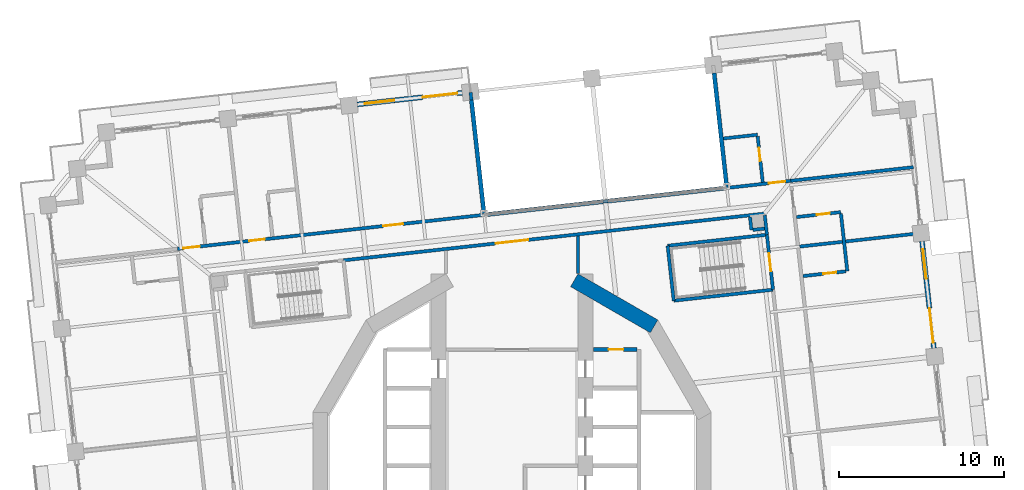
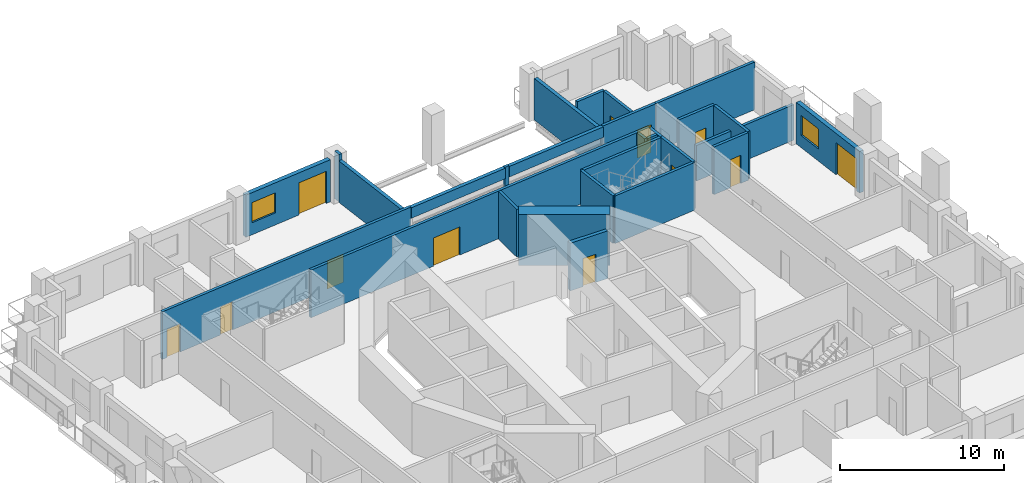
# One storey, part 12 of 20: 28 walls, 12 doors, 2 windows, 14 openings.
"""IFC4 building model written with IfcOpenShell, lengths in metres."""

from ifc_helpers import new_model, si_unit, direction, frame, frame_2d, origin, place, context, subcontext, project, spatial, rectangle, extrude, material, layer, layer_set, type_object, element, fill, save


model = new_model("IFC4")

# Units and contexts
model_context = context("Model", 3, precision=1e-05, world=origin(), true_north=direction((0.0, 1.0)))
body_context = subcontext(model_context, "Body", "Model", "MODEL_VIEW")
ifc_project = project(units=[si_unit("LENGTHUNIT", "METRE"), si_unit("AREAUNIT", "SQUARE_METRE"), si_unit("VOLUMEUNIT", "CUBIC_METRE"), si_unit("PLANEANGLEUNIT", "RADIAN"), si_unit("MASSUNIT", "GRAM", prefix="KILO")], contexts=[model_context])

# Site, building, storey
site_placement = place(None, origin())
site = spatial("IfcSite", under=ifc_project, at=site_placement, CompositionType="ELEMENT")
building_placement = place(site_placement, origin())
building = spatial("IfcBuilding", under=site, at=building_placement, Name="Cantera Rosa Tower", CompositionType="ELEMENT")
storey_placement = place(building_placement, frame((0.0, 0.0, 46.300048828125)))
storey = spatial("IfcBuildingStorey", under=building, at=storey_placement, Name="L08", CompositionType="ELEMENT", Elevation=46.300048828125)

# Wall
ifc_material_1 = material(Name="Gypsum board partition")
ifc_layer_1 = layer(ifc_material_1, 0.199951171875)
ifc_layer_set_1 = layer_set([ifc_layer_1], Name="CORRIDOR WALL 200 H3550")
wall_type_1 = type_object("IfcWallType", Name="CORRIDOR WALL 200 H3550", PredefinedType="PARTITIONING", material=ifc_layer_set_1)
wall_1_placement = place(storey_placement, frame((4.0, 11.667236328125, 0.0), z_axis=(0.0, 0.0, 1.0), x_axis=(0.0, 1.0, 0.0)))
element("IfcWall", 1, at=wall_1_placement, inside=storey, type_object=wall_type_1, Name="CORRIDOR WALL L08-064", PredefinedType="PARTITIONING", context=body_context, shape_type="SweptSolid", body=[
    extrude(rectangle(XDim=2.259765625, YDim=0.199951171875, at=frame_2d((1.1298828125, 0.0))), origin(), (0.0, 0.0, 1.0), 3.550048828125),
])

# Wall, opening, door
wall_2_placement = place(storey_placement, frame((15.3076171875, 15.281982421875, 0.0), z_axis=(0.0, 0.0, 1.0), x_axis=(-0.993896137152, -0.110319846599, 0.0)))
wall_2 = element("IfcWall", 2, at=wall_2_placement, inside=storey, type_object=wall_type_1, Name="CORRIDOR WALL L08-087", PredefinedType="PARTITIONING", context=body_context, shape_type="SweptSolid", body=[
    extrude(rectangle(XDim=25.67333984375, YDim=0.199951171875, at=frame_2d((12.836669921875, 0.0))), origin(), (0.0, 0.0, 1.0), 3.550048828125),
])
opening_1_placement = place(wall_2_placement, frame((14.401611328125, 0.0, 0.0)))
opening_1 = element("IfcOpeningElement", 3, at=opening_1_placement, cuts=wall_2, Name="Opening L08-010", PredefinedType="OPENING", context=body_context, shape_type="SweptSolid", body=[
    extrude(rectangle(XDim=2.0, YDim=2.10009765625, at=frame_2d((1.0, 1.050048828125))), frame((0.0, 0.10986328125, 0.0), z_axis=(0.0, -1.0, 0.0), x_axis=(1.0, 0.0, 0.0)), (0.0, 0.0, 1.0), 0.219970703125),
])
ifc_material_2 = material(Name="Steel S355J2 (EN 10025-2)", Category="steel")
door_type_1 = type_object("IfcDoorType", Name="LOBBY SCREEN DOOR 2000x2100", OperationType="NOTDEFINED", PredefinedType="DOOR", material=ifc_material_2)
door_1_placement = place(opening_1_placement, origin())
door_1 = element("IfcDoor", 4, at=door_1_placement, inside=storey, type_object=door_type_1, Name="DOOR L08-010", OperationType="NOTDEFINED", OverallHeight=2.10009765625, OverallWidth=2.0, PredefinedType="DOOR", context=body_context, shape_type="SweptSolid", body=[
    extrude(rectangle(XDim=2.0, YDim=2.10009765625, at=frame_2d((1.0, 1.050048828125))), frame((0.0, 0.02490234375, 0.0), z_axis=(0.0, -1.0, 0.0), x_axis=(1.0, 0.0, 0.0)), (0.0, 0.0, 1.0), 0.050048828125),
])
fill(opening_1, door_1)

# Wall
wall_3_placement = place(storey_placement, frame((15.44970703125, 14.001708984375, 0.0), z_axis=(0.0, 0.0, 1.0), x_axis=(-0.110341316069, 0.993893753863, 0.0)))
element("IfcWall", 5, at=wall_3_placement, inside=storey, type_object=wall_type_1, Name="CORRIDOR WALL L08-091", PredefinedType="PARTITIONING", context=body_context, shape_type="SweptSolid", body=[
    extrude(rectangle(XDim=1.188232421875, YDim=0.199951171875, at=frame_2d((0.59423828125, 0.0))), origin(), (0.0, 0.0, 1.0), 3.550048828125),
])

# Wall, opening, door
wall_4_placement = place(storey_placement, frame((16.898193359375, 17.26953125, 0.0), z_axis=(0.0, 0.0, 1.0), x_axis=(-0.993894825106, -0.110331666476, 0.0)))
wall_4 = element("IfcWall", 6, at=wall_4_placement, inside=storey, type_object=wall_type_1, Name="CORRIDOR WALL L08-095", PredefinedType="PARTITIONING", context=body_context, shape_type="SweptSolid", body=[
    extrude(rectangle(XDim=4.025146484375, YDim=0.199951171875, at=frame_2d((2.0126953125, 0.0))), origin(), (0.0, 0.0, 1.0), 3.550048828125),
])
opening_2_placement = place(wall_4_placement, frame((0.35009765625, 0.0, 0.0)))
opening_2 = element("IfcOpeningElement", 7, at=opening_2_placement, cuts=wall_4, Name="Opening L08-028", PredefinedType="OPENING", context=body_context, shape_type="SweptSolid", body=[
    extrude(rectangle(XDim=1.0, YDim=2.10009765625, at=frame_2d((0.5, 1.050048828125))), frame((0.0, 0.10986328125, 0.0), z_axis=(0.0, -1.0, 0.0), x_axis=(1.0, 0.0, 0.0)), (0.0, 0.0, 1.0), 0.219970703125),
])
ifc_material_3 = material(Name="Timber door leaf", Category="wood")
door_type_2 = type_object("IfcDoorType", Name="ENTRANCE DOOR 1000x2100", OperationType="NOTDEFINED", PredefinedType="DOOR", material=ifc_material_3)
door_2_placement = place(opening_2_placement, origin())
door_2 = element("IfcDoor", 8, at=door_2_placement, inside=storey, type_object=door_type_2, Name="DOOR L08-028", OperationType="NOTDEFINED", OverallHeight=2.10009765625, OverallWidth=1.0, PredefinedType="DOOR", context=body_context, shape_type="SweptSolid", body=[
    extrude(rectangle(XDim=1.0, YDim=2.10009765625, at=frame_2d((0.5, 1.050048828125))), frame((0.0, 0.02490234375, 0.0), z_axis=(0.0, -1.0, 0.0), x_axis=(1.0, 0.0, 0.0)), (0.0, 0.0, 1.0), 0.050048828125),
])
fill(opening_2, door_2)

# Wall
wall_5_placement = place(storey_placement, frame((5.819580078125, 16.039794921875, 0.0), z_axis=(0.0, 0.0, 1.0), x_axis=(-0.993961066883, -0.109733301784, 0.0)))
element("IfcWall", 9, at=wall_5_placement, inside=storey, type_object=wall_type_1, Name="CORRIDOR WALL L08-096", PredefinedType="PARTITIONING", context=body_context, shape_type="SweptSolid", body=[
    extrude(rectangle(XDim=0.30712890625, YDim=0.199951171875, at=frame_2d((0.153564453125, 0.0))), origin(), (0.0, 0.0, 1.0), 3.550048828125),
])

# Wall, openings, doors
wall_6_placement = place(storey_placement, frame((-1.5634765625, 15.220458984375, 0.0), z_axis=(0.0, 0.0, 1.0), x_axis=(-0.993896854699, -0.110313381866, 0.0)))
wall_6 = element("IfcWall", 10, at=wall_6_placement, inside=storey, type_object=wall_type_1, Name="CORRIDOR WALL L08-097", PredefinedType="PARTITIONING", context=body_context, shape_type="SweptSolid", body=[
    extrude(rectangle(XDim=18.8251953125, YDim=0.199951171875, at=frame_2d((9.41259765625, 0.0))), origin(), (0.0, 0.0, 1.0), 3.550048828125),
])
opening_3_placement = place(wall_6_placement, frame((5.074951171875, 0.0, 0.0)))
opening_3 = element("IfcOpeningElement", 11, at=opening_3_placement, cuts=wall_6, Name="Opening L08-025", PredefinedType="OPENING", context=body_context, shape_type="SweptSolid", body=[
    extrude(rectangle(XDim=1.199951171875, YDim=2.10009765625, at=frame_2d((0.60009765625, 1.050048828125))), frame((0.0, 0.10986328125, 0.0), z_axis=(0.0, -1.0, 0.0), x_axis=(1.0, 0.0, 0.0)), (0.0, 0.0, 1.0), 0.219970703125),
])
opening_4_placement = place(wall_6_placement, frame((13.5, 0.0, 0.0)))
opening_4 = element("IfcOpeningElement", 12, at=opening_4_placement, cuts=wall_6, Name="Opening L08-026", PredefinedType="OPENING", context=body_context, shape_type="SweptSolid", body=[
    extrude(rectangle(XDim=0.949951171875, YDim=2.10009765625, at=frame_2d((0.47509765625, 1.050048828125))), frame((0.0, 0.10986328125, 0.0), z_axis=(0.0, -1.0, 0.0), x_axis=(1.0, 0.0, 0.0)), (0.0, 0.0, 1.0), 0.219970703125),
])
opening_5_placement = place(wall_6_placement, frame((17.47509765625, 0.0, 0.0)))
opening_5 = element("IfcOpeningElement", 13, at=opening_5_placement, cuts=wall_6, Name="Opening L08-030", PredefinedType="OPENING", context=body_context, shape_type="SweptSolid", body=[
    extrude(rectangle(XDim=1.0, YDim=2.10009765625, at=frame_2d((0.5, 1.050048828125))), frame((0.0, 0.10986328125, 0.0), z_axis=(0.0, -1.0, 0.0), x_axis=(1.0, 0.0, 0.0)), (0.0, 0.0, 1.0), 0.219970703125),
])
door_3_placement = place(opening_5_placement, origin())
door_3 = element("IfcDoor", 14, at=door_3_placement, inside=storey, type_object=door_type_2, Name="DOOR L08-030", OperationType="NOTDEFINED", OverallHeight=2.10009765625, OverallWidth=1.0, PredefinedType="DOOR", context=body_context, shape_type="SweptSolid", body=[
    extrude(rectangle(XDim=1.0, YDim=2.10009765625, at=frame_2d((0.5, 1.050048828125))), frame((0.0, 0.02490234375, 0.0), z_axis=(0.0, -1.0, 0.0), x_axis=(1.0, 0.0, 0.0)), (0.0, 0.0, 1.0), 0.050048828125),
])
fill(opening_5, door_3)
ifc_material_4 = material(Name="Timber door leaf", Category="wood")
door_type_3 = type_object("IfcDoorType", Name="ROOM DOOR 1200x2100", OperationType="NOTDEFINED", PredefinedType="DOOR", material=ifc_material_4)
door_4_placement = place(opening_3_placement, origin())
door_4 = element("IfcDoor", 15, at=door_4_placement, inside=storey, type_object=door_type_3, Name="DOOR L08-025", OperationType="NOTDEFINED", OverallHeight=2.10009765625, OverallWidth=1.199951171875, PredefinedType="DOOR", context=body_context, shape_type="SweptSolid", body=[
    extrude(rectangle(XDim=1.199951171875, YDim=2.10009765625, at=frame_2d((0.60009765625, 1.050048828125))), frame((0.0, 0.02490234375, 0.0), z_axis=(0.0, -1.0, 0.0), x_axis=(1.0, 0.0, 0.0)), (0.0, 0.0, 1.0), 0.050048828125),
])
fill(opening_3, door_4)
ifc_material_5 = material(Name="Timber door leaf", Category="wood")
door_type_4 = type_object("IfcDoorType", Name="ROOM DOOR 950x2100", OperationType="NOTDEFINED", PredefinedType="DOOR", material=ifc_material_5)
door_5_placement = place(opening_4_placement, origin())
door_5 = element("IfcDoor", 16, at=door_5_placement, inside=storey, type_object=door_type_4, Name="DOOR L08-026", OperationType="NOTDEFINED", OverallHeight=2.10009765625, OverallWidth=0.949951171875, PredefinedType="DOOR", context=body_context, shape_type="SweptSolid", body=[
    extrude(rectangle(XDim=0.949951171875, YDim=2.10009765625, at=frame_2d((0.47509765625, 1.050048828125))), frame((0.0, 0.02490234375, 0.0), z_axis=(0.0, -1.0, 0.0), x_axis=(1.0, 0.0, 0.0)), (0.0, 0.0, 1.0), 0.050048828125),
])
fill(opening_4, door_5)

# Wall, openings, window, door
ifc_material_6 = material(Name="Hollow clay masonry with cantera stone cladding", Category="masonry")
ifc_layer_2 = layer(ifc_material_6, 0.300048828125)
ifc_layer_set_2 = layer_set([ifc_layer_2], Name="EW-LOGGIA 300 H3090")
wall_type_2 = type_object("IfcWallType", Name="EW-LOGGIA 300 H3090", PredefinedType="SOLIDWALL", material=ifc_layer_set_2)
wall_7_placement = place(storey_placement, frame((25.570068359375, 7.124267578125, 0.0), z_axis=(0.0, 0.0, 1.0), x_axis=(-0.110312341265, 0.993896970196, 0.0)))
wall_7 = element("IfcWall", 17, at=wall_7_placement, inside=storey, type_object=wall_type_2, Name="EN-L08-W04", PredefinedType="SOLIDWALL", context=body_context, shape_type="SweptSolid", body=[
    extrude(rectangle(XDim=6.52001953125, YDim=0.300048828125, at=frame_2d((3.260009765625, 0.0))), origin(), (0.0, 0.0, 1.0), 3.08984375),
])
opening_6_placement = place(wall_7_placement, frame((0.330078125, 0.0, 0.0)))
opening_6 = element("IfcOpeningElement", 18, at=opening_6_placement, cuts=wall_7, Name="Opening L08-TD07", PredefinedType="OPENING", context=body_context, shape_type="SweptSolid", body=[
    extrude(rectangle(XDim=2.10009765625, YDim=2.39990234375, at=frame_2d((1.050048828125, 1.199951171875))), frame((0.0, 0.159912109375, 0.0), z_axis=(0.0, -1.0, 0.0), x_axis=(1.0, 0.0, 0.0)), (0.0, 0.0, 1.0), 0.320068359375),
])
opening_7_placement = place(wall_7_placement, frame((4.239990234375, 0.0, 0.89990234375)))
opening_7 = element("IfcOpeningElement", 19, at=opening_7_placement, cuts=wall_7, Name="Opening L08-W08", PredefinedType="OPENING", context=body_context, shape_type="SweptSolid", body=[
    extrude(rectangle(XDim=1.800048828125, YDim=1.5, at=frame_2d((0.89990234375, 0.75))), frame((0.0, 0.159912109375, 0.0), z_axis=(0.0, -1.0, 0.0), x_axis=(1.0, 0.0, 0.0)), (0.0, 0.0, 1.0), 0.320068359375),
])
ifc_material_7 = material(Name="Aluminium frame with clear glass", Category="aluminium")
window_type = type_object("IfcWindowType", Name="Hotel room window 1800x1500", PartitioningType="DOUBLE_PANEL_VERTICAL", PredefinedType="WINDOW", material=ifc_material_7)
window_1_placement = place(opening_7_placement, origin())
window_1 = element("IfcWindow", 20, at=window_1_placement, inside=storey, type_object=window_type, Name="WINDOW L08-W08", OverallHeight=1.5, OverallWidth=1.800048828125, PartitioningType="SINGLE_PANEL", PredefinedType="WINDOW", context=body_context, shape_type="SweptSolid", body=[
    extrude(rectangle(XDim=1.800048828125, YDim=1.5, at=frame_2d((0.89990234375, 0.75))), frame((0.0, 0.030029296875, 0.0), z_axis=(0.0, -1.0, 0.0), x_axis=(1.0, 0.0, 0.0)), (0.0, 0.0, 1.0), 0.06005859375),
])
fill(opening_7, window_1)
ifc_material_8 = material(Name="Aluminium frame with clear glass", Category="aluminium")
door_type_5 = type_object("IfcDoorType", Name="TD-H 2100x2400", OperationType="NOTDEFINED", PredefinedType="DOOR", material=ifc_material_8)
door_6_placement = place(opening_6_placement, origin())
door_6 = element("IfcDoor", 21, at=door_6_placement, inside=storey, type_object=door_type_5, Name="LOGGIA DOOR L08-TD07", OperationType="SLIDING_TO_LEFT", OverallHeight=2.39990234375, OverallWidth=2.10009765625, PredefinedType="DOOR", context=body_context, shape_type="SweptSolid", body=[
    extrude(rectangle(XDim=2.10009765625, YDim=2.39990234375, at=frame_2d((1.050048828125, 1.199951171875))), frame((0.0, 0.02490234375, 0.0), z_axis=(0.0, -1.0, 0.0), x_axis=(1.0, 0.0, 0.0)), (0.0, 0.0, 1.0), 0.050048828125),
])
fill(opening_6, door_6)

ifc_material_9 = material(Name="Hollow clay masonry with cantera stone cladding", Category="masonry")
ifc_layer_3 = layer(ifc_material_9, 0.300048828125)
ifc_layer_set_3 = layer_set([ifc_layer_3], Name="EW-LOGGIA 300 H3140")
wall_type_3 = type_object("IfcWallType", Name="EW-LOGGIA 300 H3140", PredefinedType="SOLIDWALL", material=ifc_layer_set_3)
wall_8_placement = place(storey_placement, frame((-3.011962890625, 22.605712890625, 0.0), z_axis=(0.0, 0.0, 1.0), x_axis=(-0.993896288542, -0.110318482689, 0.0)))
wall_8 = element("IfcWall", 22, at=wall_8_placement, inside=storey, type_object=wall_type_3, Name="EN-L08-W11", PredefinedType="SOLIDWALL", context=body_context, shape_type="SweptSolid", body=[
    extrude(rectangle(XDim=6.400146484375, YDim=0.300048828125, at=frame_2d((3.2001953125, 0.0))), origin(), (0.0, 0.0, 1.0), 3.139892578125),
])
opening_8_placement = place(wall_8_placement, frame((0.300048828125, 0.0, 0.0)))
opening_8 = element("IfcOpeningElement", 23, at=opening_8_placement, cuts=wall_8, Name="Opening L08-TD13", PredefinedType="OPENING", context=body_context, shape_type="SweptSolid", body=[
    extrude(rectangle(XDim=2.10009765625, YDim=2.39990234375, at=frame_2d((1.050048828125, 1.199951171875))), frame((0.0, 0.159912109375, 0.0), z_axis=(0.0, -1.0, 0.0), x_axis=(1.0, 0.0, 0.0)), (0.0, 0.0, 1.0), 0.320068359375),
])
opening_9_placement = place(wall_8_placement, frame((4.14990234375, 0.0, 0.89990234375)))
opening_9 = element("IfcOpeningElement", 24, at=opening_9_placement, cuts=wall_8, Name="Opening L08-W14", PredefinedType="OPENING", context=body_context, shape_type="SweptSolid", body=[
    extrude(rectangle(XDim=1.800048828125, YDim=1.5, at=frame_2d((0.89990234375, 0.75))), frame((0.0, 0.159912109375, 0.0), z_axis=(0.0, -1.0, 0.0), x_axis=(1.0, 0.0, 0.0)), (0.0, 0.0, 1.0), 0.320068359375),
])
window_2_placement = place(opening_9_placement, origin())
window_2 = element("IfcWindow", 25, at=window_2_placement, inside=storey, type_object=window_type, Name="WINDOW L08-W14", OverallHeight=1.5, OverallWidth=1.800048828125, PartitioningType="SINGLE_PANEL", PredefinedType="WINDOW", context=body_context, shape_type="SweptSolid", body=[
    extrude(rectangle(XDim=1.800048828125, YDim=1.5, at=frame_2d((0.89990234375, 0.75))), frame((0.0, 0.030029296875, 0.0), z_axis=(0.0, -1.0, 0.0), x_axis=(1.0, 0.0, 0.0)), (0.0, 0.0, 1.0), 0.06005859375),
])
fill(opening_9, window_2)
door_7_placement = place(opening_8_placement, origin())
door_7 = element("IfcDoor", 26, at=door_7_placement, inside=storey, type_object=door_type_5, Name="LOGGIA DOOR L08-TD13", OperationType="SLIDING_TO_LEFT", OverallHeight=2.39990234375, OverallWidth=2.10009765625, PredefinedType="DOOR", context=body_context, shape_type="SweptSolid", body=[
    extrude(rectangle(XDim=2.10009765625, YDim=2.39990234375, at=frame_2d((1.050048828125, 1.199951171875))), frame((0.0, 0.02490234375, 0.0), z_axis=(0.0, -1.0, 0.0), x_axis=(1.0, 0.0, 0.0)), (0.0, 0.0, 1.0), 0.050048828125),
])
fill(opening_8, door_7)

# Walls
ifc_material_10 = material(Name="Concrete C40/50", Category="concrete")
ifc_layer_4 = layer(ifc_material_10, 0.25)
ifc_layer_set_4 = layer_set([ifc_layer_4], Name="EW-POCKET CHEEK 250 H3090")
wall_type_4 = type_object("IfcWallType", Name="EW-POCKET CHEEK 250 H3090", PredefinedType="SOLIDWALL", material=ifc_layer_set_4)
wall_9_placement = place(storey_placement, frame((12.249755859375, 23.796630859375, 0.0), z_axis=(0.0, 0.0, 1.0), x_axis=(0.11028783669, -0.993899689646, 0.0)))
element("IfcWall", 27, at=wall_9_placement, inside=storey, type_object=wall_type_4, Name="POCKET CHEEK A L08", PredefinedType="SOLIDWALL", context=body_context, shape_type="SweptSolid", body=[
    extrude(rectangle(XDim=6.89990234375, YDim=0.25, at=frame_2d((3.449951171875, 0.0))), origin(), (0.0, 0.0, 1.0), 3.08984375),
])
wall_10_placement = place(storey_placement, frame((-2.4599609375, 22.163818359375, 0.0), z_axis=(0.0, 0.0, 1.0), x_axis=(0.110322788799, -0.993895810572, 0.0)))
element("IfcWall", 28, at=wall_10_placement, inside=storey, type_object=wall_type_4, Name="POCKET CHEEK B L08", PredefinedType="SOLIDWALL", context=body_context, shape_type="SweptSolid", body=[
    extrude(rectangle(XDim=6.900146484375, YDim=0.25, at=frame_2d((3.4501953125, 0.0))), origin(), (0.0, 0.0, 1.0), 3.08984375),
])
ifc_material_11 = material(Name="Hollow clay masonry with cantera stone cladding", Category="masonry")
ifc_layer_5 = layer(ifc_material_11, 0.25)
ifc_layer_set_5 = layer_set([ifc_layer_5], Name="EW-POCKET REAR 250")
wall_type_5 = type_object("IfcWallType", Name="EW-POCKET REAR 250", PredefinedType="SOLIDWALL", material=ifc_layer_set_5)
wall_11_placement = place(storey_placement, frame((12.897705078125, 16.825439453125, 2.716064453125), z_axis=(0.0, 0.0, 1.0), x_axis=(-0.993896270364, -0.110318646455, 0.0)))
element("IfcWall", 29, at=wall_11_placement, inside=storey, type_object=wall_type_5, Name="POCKET SPANDREL L08-1", PredefinedType="SOLIDWALL", context=body_context, shape_type="SweptSolid", body=[
    extrude(rectangle(XDim=7.12158203125, YDim=0.25, at=frame_2d((3.560791015625, 0.0))), origin(), (0.0, 0.0, 1.0), 0.783935546875),
])
wall_12_placement = place(storey_placement, frame((5.514404296875, 16.006103515625, 2.716064453125), z_axis=(0.0, 0.0, 1.0), x_axis=(-0.993895853127, -0.110322405414, 0.0)))
element("IfcWall", 30, at=wall_12_placement, inside=storey, type_object=wall_type_5, Name="POCKET SPANDREL L08-2", PredefinedType="SOLIDWALL", context=body_context, shape_type="SweptSolid", body=[
    extrude(rectangle(XDim=7.121337890625, YDim=0.25, at=frame_2d((3.560546875, 0.0))), origin(), (0.0, 0.0, 1.0), 0.783935546875),
])
ifc_material_12 = material(Name="Gypsum board partition")
ifc_layer_6 = layer(ifc_material_12, 0.199951171875)
ifc_layer_set_6 = layer_set([ifc_layer_6], Name="PARTITION 200 H3550")
wall_type_6 = type_object("IfcWallType", Name="PARTITION 200 H3550", PredefinedType="PARTITIONING", material=ifc_layer_set_6)
wall_13_placement = place(storey_placement, frame((-2.51171875, 22.631103515625, 0.0), z_axis=(0.0, 0.0, 1.0), x_axis=(0.110089547864, -0.993921672694, 0.0)))
element("IfcWall", 31, at=wall_13_placement, inside=storey, type_object=wall_type_6, Name="PARTITION L08-055", PredefinedType="PARTITIONING", context=body_context, shape_type="SweptSolid", body=[
    extrude(rectangle(XDim=0.47021484375, YDim=0.199951171875, at=frame_2d((0.235107421875, 0.0))), origin(), (0.0, 0.0, 1.0), 3.550048828125),
])
wall_14_placement = place(storey_placement, frame((12.8251953125, 19.835693359375, 0.0), z_axis=(0.0, 0.0, 1.0), x_axis=(0.993883734674, 0.110431526075, 0.0)))
element("IfcWall", 32, at=wall_14_placement, inside=storey, type_object=wall_type_6, Name="PARTITION L08-080", PredefinedType="PARTITIONING", context=body_context, shape_type="SweptSolid", body=[
    extrude(rectangle(XDim=2.06494140625, YDim=0.199951171875, at=frame_2d((1.032470703125, 0.0))), origin(), (0.0, 0.0, 1.0), 3.550048828125),
])
wall_15_placement = place(storey_placement, frame((14.42431640625, 15.083251953125, 0.0), z_axis=(0.0, 0.0, 1.0), x_axis=(0.110163574714, -0.993913470482, 0.0)))
element("IfcWall", 33, at=wall_15_placement, inside=storey, type_object=wall_type_6, Name="PARTITION L08-082", PredefinedType="PARTITIONING", context=body_context, shape_type="SweptSolid", body=[
    extrude(rectangle(XDim=0.800048828125, YDim=0.199951171875, at=frame_2d((0.39990234375, 0.0))), origin(), (0.0, 0.0, 1.0), 3.550048828125),
])
wall_16_placement = place(storey_placement, frame((14.61181640625, 14.299072265625, 0.0), z_axis=(0.0, 0.0, 1.0), x_axis=(0.993870969748, 0.110546349969, 0.0)))
element("IfcWall", 34, at=wall_16_placement, inside=storey, type_object=wall_type_6, Name="PARTITION L08-083", PredefinedType="PARTITIONING", context=body_context, shape_type="SweptSolid", body=[
    extrude(rectangle(XDim=0.7001953125, YDim=0.199951171875, at=frame_2d((0.35009765625, 0.0))), origin(), (0.0, 0.0, 1.0), 3.550048828125),
])

# Wall, opening, door
wall_17_placement = place(storey_placement, frame((14.888671875, 19.964111328125, 0.0), z_axis=(0.0, 0.0, 1.0), x_axis=(0.110307106705, -0.993897551164, 0.0)))
wall_17 = element("IfcWall", 35, at=wall_17_placement, inside=storey, type_object=wall_type_6, Name="PARTITION L08-084", PredefinedType="PARTITIONING", context=body_context, shape_type="SweptSolid", body=[
    extrude(rectangle(XDim=2.7998046875, YDim=0.199951171875, at=frame_2d((1.39990234375, 0.0))), origin(), (0.0, 0.0, 1.0), 3.550048828125),
])
opening_10_placement = place(wall_17_placement, frame((0.699951171875, 0.0, 0.0)))
opening_10 = element("IfcOpeningElement", 36, at=opening_10_placement, cuts=wall_17, Name="Opening L08-029", PredefinedType="OPENING", context=body_context, shape_type="SweptSolid", body=[
    extrude(rectangle(XDim=0.800048828125, YDim=2.10009765625, at=frame_2d((0.39990234375, 1.050048828125))), frame((0.0, 0.10986328125, 0.0), z_axis=(0.0, -1.0, 0.0), x_axis=(1.0, 0.0, 0.0)), (0.0, 0.0, 1.0), 0.219970703125),
])
ifc_material_13 = material(Name="Timber door leaf", Category="wood")
door_type_6 = type_object("IfcDoorType", Name="BATHROOM DOOR 800x2100", OperationType="NOTDEFINED", PredefinedType="DOOR", material=ifc_material_13)
door_8_placement = place(opening_10_placement, origin())
door_8 = element("IfcDoor", 37, at=door_8_placement, inside=storey, type_object=door_type_6, Name="DOOR L08-029", OperationType="NOTDEFINED", OverallHeight=2.10009765625, OverallWidth=0.800048828125, PredefinedType="DOOR", context=body_context, shape_type="SweptSolid", body=[
    extrude(rectangle(XDim=0.800048828125, YDim=2.10009765625, at=frame_2d((0.39990234375, 1.050048828125))), frame((0.0, 0.02490234375, 0.0), z_axis=(0.0, -1.0, 0.0), x_axis=(1.0, 0.0, 0.0)), (0.0, 0.0, 1.0), 0.050048828125),
])
fill(opening_10, door_8)

wall_18_placement = place(storey_placement, frame((17.242431640625, 15.073974609375, 0.0), z_axis=(0.0, 0.0, 1.0), x_axis=(0.993895859284, 0.110322349952, 0.0)))
wall_18 = element("IfcWall", 38, at=wall_18_placement, inside=storey, type_object=wall_type_6, Name="PARTITION L08-099", PredefinedType="PARTITIONING", context=body_context, shape_type="SweptSolid", body=[
    extrude(rectangle(XDim=2.699951171875, YDim=0.199951171875, at=frame_2d((1.35009765625, 0.0))), origin(), (0.0, 0.0, 1.0), 3.550048828125),
])
opening_11_placement = place(wall_18_placement, frame((1.236083984375, 0.0, 0.0)))
opening_11 = element("IfcOpeningElement", 39, at=opening_11_placement, cuts=wall_18, Name="Opening L08-024", PredefinedType="OPENING", context=body_context, shape_type="SweptSolid", body=[
    extrude(rectangle(XDim=0.800048828125, YDim=2.10009765625, at=frame_2d((0.39990234375, 1.050048828125))), frame((0.0, 0.10986328125, 0.0), z_axis=(0.0, -1.0, 0.0), x_axis=(1.0, 0.0, 0.0)), (0.0, 0.0, 1.0), 0.219970703125),
])
door_9_placement = place(opening_11_placement, origin())
door_9 = element("IfcDoor", 40, at=door_9_placement, inside=storey, type_object=door_type_6, Name="DOOR L08-024", OperationType="NOTDEFINED", OverallHeight=2.10009765625, OverallWidth=0.800048828125, PredefinedType="DOOR", context=body_context, shape_type="SweptSolid", body=[
    extrude(rectangle(XDim=0.800048828125, YDim=2.10009765625, at=frame_2d((0.39990234375, 1.050048828125))), frame((0.0, 0.02490234375, 0.0), z_axis=(0.0, -1.0, 0.0), x_axis=(1.0, 0.0, 0.0)), (0.0, 0.0, 1.0), 0.050048828125),
])
fill(opening_11, door_9)

# Wall
wall_19_placement = place(storey_placement, frame((19.93701171875, 15.2724609375, 0.0), z_axis=(0.0, 0.0, 1.0), x_axis=(0.110286055711, -0.99389988727, 0.0)))
element("IfcWall", 41, at=wall_19_placement, inside=storey, type_object=wall_type_6, Name="PARTITION L08-110", PredefinedType="PARTITIONING", context=body_context, shape_type="SweptSolid", body=[
    extrude(rectangle(XDim=3.499755859375, YDim=0.199951171875, at=frame_2d((1.75, 0.0))), origin(), (0.0, 0.0, 1.0), 3.550048828125),
])

# Wall, opening, door
wall_20_placement = place(storey_placement, frame((20.2236328125, 11.78271484375, 0.0), z_axis=(0.0, 0.0, 1.0), x_axis=(-0.993905472132, -0.110235713206, 0.0)))
wall_20 = element("IfcWall", 42, at=wall_20_placement, inside=storey, type_object=wall_type_6, Name="PARTITION L08-112", PredefinedType="PARTITIONING", context=body_context, shape_type="SweptSolid", body=[
    extrude(rectangle(XDim=2.60009765625, YDim=0.199951171875, at=frame_2d((1.300048828125, 0.0))), origin(), (0.0, 0.0, 1.0), 3.550048828125),
])
opening_12_placement = place(wall_20_placement, frame((0.56396484375, 0.0, 0.0)))
opening_12 = element("IfcOpeningElement", 43, at=opening_12_placement, cuts=wall_20, Name="Opening L08-022", PredefinedType="OPENING", context=body_context, shape_type="SweptSolid", body=[
    extrude(rectangle(XDim=0.800048828125, YDim=2.10009765625, at=frame_2d((0.39990234375, 1.050048828125))), frame((0.0, 0.10986328125, 0.0), z_axis=(0.0, -1.0, 0.0), x_axis=(1.0, 0.0, 0.0)), (0.0, 0.0, 1.0), 0.219970703125),
])
door_10_placement = place(opening_12_placement, origin())
door_10 = element("IfcDoor", 44, at=door_10_placement, inside=storey, type_object=door_type_6, Name="DOOR L08-022", OperationType="NOTDEFINED", OverallHeight=2.10009765625, OverallWidth=0.800048828125, PredefinedType="DOOR", context=body_context, shape_type="SweptSolid", body=[
    extrude(rectangle(XDim=0.800048828125, YDim=2.10009765625, at=frame_2d((0.39990234375, 1.050048828125))), frame((0.0, 0.02490234375, 0.0), z_axis=(0.0, -1.0, 0.0), x_axis=(1.0, 0.0, 0.0)), (0.0, 0.0, 1.0), 0.050048828125),
])
fill(opening_12, door_10)

# Walls
ifc_material_14 = material(Name="Gypsum board partition")
ifc_layer_7 = layer(ifc_material_14, 0.199951171875)
ifc_layer_set_7 = layer_set([ifc_layer_7], Name="PARTY WALL 200 H2650")
wall_type_7 = type_object("IfcWallType", Name="PARTY WALL 200 H2650", PredefinedType="PARTITIONING", material=ifc_layer_set_7)
wall_21_placement = place(storey_placement, frame((17.44091796875, 13.284912109375, 0.0), z_axis=(0.0, 0.0, 1.0), x_axis=(0.993897461949, 0.110307910555, 0.0)))
element("IfcWall", 45, at=wall_21_placement, inside=storey, type_object=wall_type_7, Name="PARTY WALL L08-101", PredefinedType="PARTITIONING", context=body_context, shape_type="SweptSolid", body=[
    extrude(rectangle(XDim=7.3701171875, YDim=0.199951171875, at=frame_2d((3.68505859375, 0.0))), origin(), (0.0, 0.0, 1.0), 2.64990234375),
])
ifc_material_15 = material(Name="Gypsum board partition")
ifc_layer_8 = layer(ifc_material_15, 0.199951171875)
ifc_layer_set_8 = layer_set([ifc_layer_8], Name="PARTY WALL 200 H3550")
wall_type_8 = type_object("IfcWallType", Name="PARTY WALL 200 H3550", PredefinedType="PARTITIONING", material=ifc_layer_set_8)
wall_22_placement = place(storey_placement, frame((16.898193359375, 17.26953125, 0.0), z_axis=(0.0, 0.0, 1.0), x_axis=(0.993897676912, 0.110305973679, 0.0)))
element("IfcWall", 46, at=wall_22_placement, inside=storey, type_object=wall_type_8, Name="PARTY WALL L08-098", PredefinedType="PARTITIONING", context=body_context, shape_type="SweptSolid", body=[
    extrude(rectangle(XDim=7.469970703125, YDim=0.199951171875, at=frame_2d((3.73486328125, 0.0))), origin(), (0.0, 0.0, 1.0), 3.550048828125),
])
ifc_material_16 = material(Name="Concrete C70/85", Category="concrete")
ifc_layer_9 = layer(ifc_material_16, 0.89990234375)
ifc_layer_set_9 = layer_set([ifc_layer_9], Name="RC CORE WALL 900 C70/85")
wall_type_9 = type_object("IfcWallType", Name="RC CORE WALL 900 C70/85", PredefinedType="SHEAR", material=ifc_layer_set_9)
wall_23_placement = place(storey_placement, frame((3.77490234375, 11.242919921875, 0.0), z_axis=(0.0, 0.0, 1.0), x_axis=(0.866026961591, -0.49999730179, 0.0)))
element("IfcWall", 47, at=wall_23_placement, inside=storey, type_object=wall_type_9, Name="CW-E1 L08", PredefinedType="SHEAR", context=body_context, shape_type="SweptSolid", body=[
    extrude(rectangle(XDim=5.58740234375, YDim=0.89990234375, at=frame_2d((2.793701171875, 0.0))), origin(), (0.0, 0.0, 1.0), 3.800048828125),
])

# Wall, opening, door
ifc_material_17 = material(Name="Masonry blockwork", Category="masonry")
ifc_layer_10 = layer(ifc_material_17, 0.25)
ifc_layer_set_10 = layer_set([ifc_layer_10], Name="SHAFT WALL 250 H3550")
wall_type_10 = type_object("IfcWallType", Name="SHAFT WALL 250 H3550", PredefinedType="SOLIDWALL", material=ifc_layer_set_10)
wall_24_placement = place(storey_placement, frame((7.580078125, 7.050048828125, 0.0), z_axis=(0.0, 0.0, 1.0), x_axis=(-1.0, 0.0, 0.0)))
wall_24 = element("IfcWall", 48, at=wall_24_placement, inside=storey, type_object=wall_type_10, Name="SHAFT WALL L08-074", PredefinedType="SOLIDWALL", context=body_context, shape_type="SweptSolid", body=[
    extrude(rectangle(XDim=2.650146484375, YDim=0.25, at=frame_2d((1.3251953125, 0.0))), origin(), (0.0, 0.0, 1.0), 3.550048828125),
])
opening_13_placement = place(wall_24_placement, frame((0.830078125, 0.0, 0.0)))
opening_13 = element("IfcOpeningElement", 49, at=opening_13_placement, cuts=wall_24, Name="Opening L08-050", PredefinedType="OPENING", context=body_context, shape_type="SweptSolid", body=[
    extrude(rectangle(XDim=0.89990234375, YDim=2.10009765625, at=frame_2d((0.449951171875, 1.050048828125))), frame((0.0, 0.135009765625, 0.0), z_axis=(0.0, -1.0, 0.0), x_axis=(1.0, 0.0, 0.0)), (0.0, 0.0, 1.0), 0.27001953125),
])
ifc_material_18 = material(Name="Timber door leaf", Category="wood")
door_type_7 = type_object("IfcDoorType", Name="SERVICE DOOR 900x2100", OperationType="NOTDEFINED", PredefinedType="DOOR", material=ifc_material_18)
door_11_placement = place(opening_13_placement, origin())
door_11 = element("IfcDoor", 50, at=door_11_placement, inside=storey, type_object=door_type_7, Name="RISER DOOR L08-050", OperationType="NOTDEFINED", OverallHeight=2.10009765625, OverallWidth=0.89990234375, PredefinedType="DOOR", context=body_context, shape_type="SweptSolid", body=[
    extrude(rectangle(XDim=0.89990234375, YDim=2.10009765625, at=frame_2d((0.449951171875, 1.050048828125))), frame((0.0, 0.02490234375, 0.0), z_axis=(0.0, -1.0, 0.0), x_axis=(1.0, 0.0, 0.0)), (0.0, 0.0, 1.0), 0.050048828125),
])
fill(opening_13, door_11)

# Walls
ifc_material_19 = material(Name="Concrete C50/60", Category="concrete")
ifc_layer_11 = layer(ifc_material_19, 0.199951171875)
ifc_layer_set_11 = layer_set([ifc_layer_11], Name="STAIR WALL 200 H3550")
wall_type_11 = type_object("IfcWallType", Name="STAIR WALL 200 H3550", PredefinedType="SOLIDWALL", material=ifc_layer_set_11)
wall_25_placement = place(storey_placement, frame((9.43359375, 13.333740234375, 0.0), z_axis=(0.0, 0.0, 1.0), x_axis=(0.11027153821, -0.993901498067, 0.0)))
element("IfcWall", 51, at=wall_25_placement, inside=storey, type_object=wall_type_11, Name="STAIR WALL L08-078", PredefinedType="SOLIDWALL", context=body_context, shape_type="SweptSolid", body=[
    extrude(rectangle(XDim=3.349853515625, YDim=0.199951171875, at=frame_2d((1.6748046875, 0.0))), origin(), (0.0, 0.0, 1.0), 3.550048828125),
])
wall_26_placement = place(storey_placement, frame((9.802978515625, 10.00439453125, 0.0), z_axis=(0.0, 0.0, 1.0), x_axis=(0.993897498792, 0.11030757859, 0.0)))
element("IfcWall", 52, at=wall_26_placement, inside=storey, type_object=wall_type_11, Name="STAIR WALL L08-079", PredefinedType="SOLIDWALL", context=body_context, shape_type="SweptSolid", body=[
    extrude(rectangle(XDim=6.05322265625, YDim=0.199951171875, at=frame_2d((3.026611328125, 0.0))), origin(), (0.0, 0.0, 1.0), 3.550048828125),
])
wall_27_placement = place(storey_placement, frame((15.44970703125, 14.001708984375, 0.0), z_axis=(0.0, 0.0, 1.0), x_axis=(-0.993892585125, -0.110351842907, 0.0)))
element("IfcWall", 53, at=wall_27_placement, inside=storey, type_object=wall_type_11, Name="STAIR WALL L08-090", PredefinedType="SOLIDWALL", context=body_context, shape_type="SweptSolid", body=[
    extrude(rectangle(XDim=6.052978515625, YDim=0.199951171875, at=frame_2d((3.0263671875, 0.0))), origin(), (0.0, 0.0, 1.0), 3.550048828125),
])

# Wall, opening, door
wall_28_placement = place(storey_placement, frame((15.8193359375, 10.672119140625, 0.0), z_axis=(0.0, 0.0, 1.0), x_axis=(-0.110335541424, 0.993894394943, 0.0)))
wall_28 = element("IfcWall", 54, at=wall_28_placement, inside=storey, type_object=wall_type_11, Name="STAIR WALL L08-092", PredefinedType="SOLIDWALL", context=body_context, shape_type="SweptSolid", body=[
    extrude(rectangle(XDim=3.35009765625, YDim=0.199951171875, at=frame_2d((1.675048828125, 0.0))), origin(), (0.0, 0.0, 1.0), 3.550048828125),
])
opening_14_placement = place(wall_28_placement, frame((1.125, 0.0, 0.0)))
opening_14 = element("IfcOpeningElement", 55, at=opening_14_placement, cuts=wall_28, Name="Opening L08-001", PredefinedType="OPENING", context=body_context, shape_type="SweptSolid", body=[
    extrude(rectangle(XDim=1.10009765625, YDim=2.10009765625, at=frame_2d((0.550048828125, 1.050048828125))), frame((0.0, 0.10986328125, 0.0), z_axis=(0.0, -1.0, 0.0), x_axis=(1.0, 0.0, 0.0)), (0.0, 0.0, 1.0), 0.219970703125),
])
ifc_material_20 = material(Name="Steel S355J2 (EN 10025-2)", Category="steel")
door_type_8 = type_object("IfcDoorType", Name="STAIR DOOR 1100x2100", OperationType="NOTDEFINED", PredefinedType="DOOR", material=ifc_material_20)
door_12_placement = place(opening_14_placement, origin())
door_12 = element("IfcDoor", 56, at=door_12_placement, inside=storey, type_object=door_type_8, Name="DOOR L08-001", OperationType="NOTDEFINED", OverallHeight=2.10009765625, OverallWidth=1.10009765625, PredefinedType="DOOR", context=body_context, shape_type="SweptSolid", body=[
    extrude(rectangle(XDim=1.10009765625, YDim=2.10009765625, at=frame_2d((0.550048828125, 1.050048828125))), frame((0.0, 0.02490234375, 0.0), z_axis=(0.0, -1.0, 0.0), x_axis=(1.0, 0.0, 0.0)), (0.0, 0.0, 1.0), 0.050048828125),
])
fill(opening_14, door_12)

save(model, "model.ifc")
